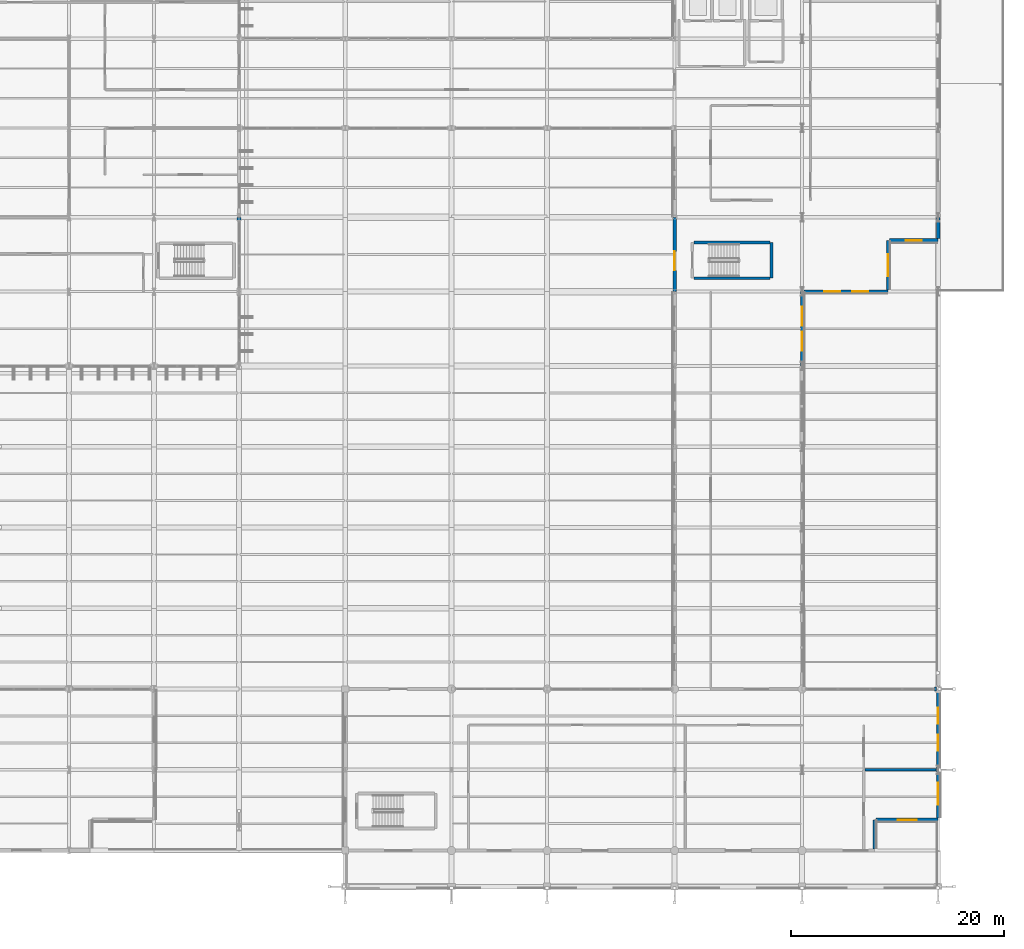
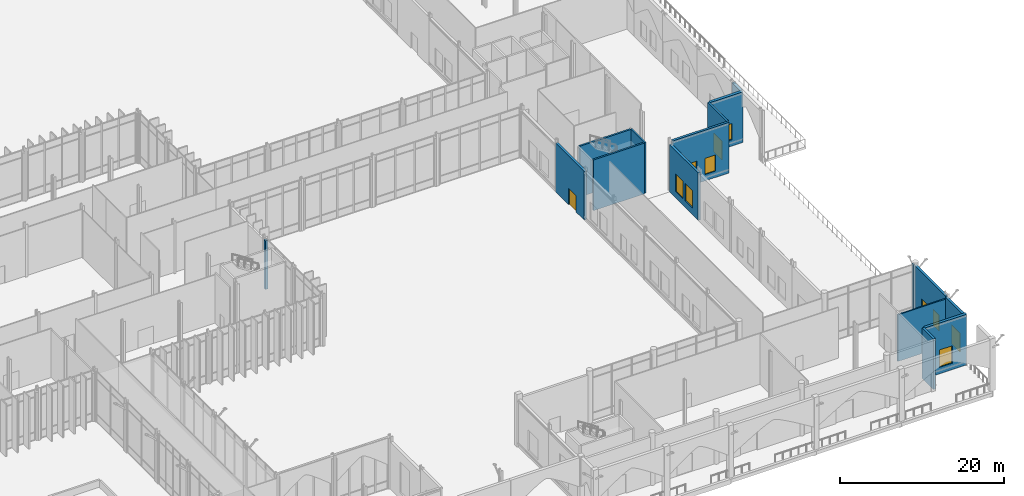
# One storey, part 144 of 176: 16 walls, 10 windows, 1 door, 11 openings.
"""IFC4 building model written with IfcOpenShell, lengths in metres."""

from ifc_helpers import new_model, si_unit, direction, frame, frame_2d, origin, place, context, subcontext, project, spatial, rectangle, extrude, material, layer, layer_set, type_object, element, fill, save


model = new_model("IFC4")

# Units and contexts
model_context = context("Model", 3, precision=1e-05, world=origin(), true_north=direction((0.0, 1.0)))
body_context = subcontext(model_context, "Body", "Model", "MODEL_VIEW")
ifc_project = project(units=[si_unit("LENGTHUNIT", "METRE"), si_unit("AREAUNIT", "SQUARE_METRE"), si_unit("VOLUMEUNIT", "CUBIC_METRE"), si_unit("PLANEANGLEUNIT", "RADIAN"), si_unit("MASSUNIT", "GRAM", prefix="KILO")], contexts=[model_context])

# Site, building, storey
site_placement = place(None, origin())
site = spatial("IfcSite", under=ifc_project, at=site_placement, CompositionType="ELEMENT")
building_placement = place(site_placement, origin())
building = spatial("IfcBuilding", under=site, at=building_placement, Name="Vekula Escarpment Museum", CompositionType="ELEMENT")
storey_placement = place(building_placement, origin())
storey = spatial("IfcBuildingStorey", under=building, at=storey_placement, Name="L01", CompositionType="ELEMENT", Elevation=0.0)

# Wall
ifc_material_1 = material(Name="Inkisi arkosic sandstone masonry", Category="masonry")
ifc_layer_1 = layer(ifc_material_1, 0.300048828125)
ifc_layer_set_1 = layer_set([ifc_layer_1], Name="Inkisi arkosic sandstone masonry")
wall_type_1 = type_object("IfcWallType", Name="WL-ALM-300", PredefinedType="SOLIDWALL", material=ifc_layer_set_1)
wall_1_placement = place(storey_placement, frame((185.800048828125, 2.887939453125, 0.0), z_axis=(0.0, 0.0, 1.0), x_axis=(0.0, -1.0, 0.0)))
element("IfcWall", 1, at=wall_1_placement, inside=storey, type_object=wall_type_1, Name="Exterior Wall WL-EXT-L01-0111", PredefinedType="SOLIDWALL", context=body_context, shape_type="SweptSolid", body=[
    extrude(rectangle(XDim=2.723876953125, YDim=0.300048828125, at=frame_2d((1.36181640625, 0.0))), origin(), (0.0, 0.0, 1.0), 7.5400390625),
])

# Wall, opening, window
wall_2_placement = place(storey_placement, frame((187.087890625, 57.39990234375, 0.0), z_axis=(0.0, 0.0, 1.0), x_axis=(0.0, -1.0, 0.0)))
wall_2 = element("IfcWall", 2, at=wall_2_placement, inside=storey, type_object=wall_type_1, Name="Exterior Wall WL-EXT-L01-0123", PredefinedType="SOLIDWALL", context=body_context, shape_type="SweptSolid", body=[
    extrude(rectangle(XDim=4.635986328125, YDim=0.300048828125, at=frame_2d((2.31787109375, 0.0))), origin(), (0.0, 0.0, 1.0), 7.5400390625),
])
opening_1_placement = place(wall_2_placement, frame((1.26806640625, 0.0, 0.949951171875)))
opening_1 = element("IfcOpeningElement", 3, at=opening_1_placement, cuts=wall_2, Name="Opening WN-08", PredefinedType="OPENING", context=body_context, shape_type="SweptSolid", body=[
    extrude(rectangle(XDim=2.10009765625, YDim=2.800048828125, at=frame_2d((1.050048828125, 1.39990234375))), frame((0.0, 0.159912109375, 0.0), z_axis=(0.0, -1.0, 0.0), x_axis=(1.0, 0.0, 0.0)), (0.0, 0.0, 1.0), 0.320068359375),
])
ifc_material_2 = material(Name="Double solar-control low-E glass", Category="glass")
window_type_1 = type_object("IfcWindowType", Name="WN-CUMBA-21x28", PartitioningType="DOUBLE_PANEL_VERTICAL", PredefinedType="WINDOW", material=ifc_material_2)
window_1_placement = place(opening_1_placement, origin())
window_1 = element("IfcWindow", 4, at=window_1_placement, inside=storey, type_object=window_type_1, Name="Window L01-0033", OverallHeight=2.800048828125, OverallWidth=2.10009765625, PartitioningType="SINGLE_PANEL", PredefinedType="WINDOW", context=body_context, shape_type="SweptSolid", body=[
    extrude(rectangle(XDim=2.10009765625, YDim=2.800048828125, at=frame_2d((1.050048828125, 1.39990234375))), frame((0.0, 0.030029296875, 0.0), z_axis=(0.0, -1.0, 0.0), x_axis=(1.0, 0.0, 0.0)), (0.0, 0.0, 1.0), 0.06005859375),
])
fill(opening_1, window_1)

# Wall, openings, windows
ifc_material_3 = material(Name="Inkisi arkosic sandstone masonry", Category="masonry")
ifc_layer_2 = layer(ifc_material_3, 0.320068359375)
ifc_layer_set_2 = layer_set([ifc_layer_2], Name="Inkisi arkosic sandstone masonry")
wall_type_2 = type_object("IfcWallType", Name="WL-ALM-320", PredefinedType="SOLIDWALL", material=ifc_layer_set_2)
wall_3_placement = place(storey_placement, frame((191.800048828125, 15.199951171875, 0.0), z_axis=(0.0, 0.0, 1.0), x_axis=(0.0, -1.0, 0.0)))
wall_3 = element("IfcWall", 5, at=wall_3_placement, inside=storey, type_object=wall_type_2, Name="Exterior Wall WL-EXT-L01-0114", PredefinedType="SOLIDWALL", context=body_context, shape_type="SweptSolid", body=[
    extrude(rectangle(XDim=7.599853515625, YDim=0.320068359375, at=frame_2d((3.7998046875, 0.0))), origin(), (0.0, 0.0, 1.0), 7.294921875),
])
opening_2_placement = place(wall_3_placement, frame((1.783203125, 0.0, 0.949951171875)))
opening_2 = element("IfcOpeningElement", 6, at=opening_2_placement, cuts=wall_3, Name="Opening WN-06", PredefinedType="OPENING", context=body_context, shape_type="SweptSolid", body=[
    extrude(rectangle(XDim=1.5, YDim=2.39990234375, at=frame_2d((0.75, 1.199951171875))), frame((0.0, 0.169921875, 0.0), z_axis=(0.0, -1.0, 0.0), x_axis=(1.0, 0.0, 0.0)), (0.0, 0.0, 1.0), 0.340087890625),
])
opening_3_placement = place(wall_3_placement, frame((4.316650390625, 0.0, 0.949951171875)))
opening_3 = element("IfcOpeningElement", 7, at=opening_3_placement, cuts=wall_3, Name="Opening WN-06", PredefinedType="OPENING", context=body_context, shape_type="SweptSolid", body=[
    extrude(rectangle(XDim=1.5, YDim=2.39990234375, at=frame_2d((0.75, 1.199951171875))), frame((0.0, 0.169921875, 0.0), z_axis=(0.0, -1.0, 0.0), x_axis=(1.0, 0.0, 0.0)), (0.0, 0.0, 1.0), 0.340087890625),
])
ifc_material_4 = material(Name="Double solar-control low-E glass", Category="glass")
window_type_2 = type_object("IfcWindowType", Name="WN-CUMBA-15x24", PartitioningType="SINGLE_PANEL", PredefinedType="WINDOW", material=ifc_material_4)
window_2_placement = place(opening_2_placement, origin())
window_2 = element("IfcWindow", 8, at=window_2_placement, inside=storey, type_object=window_type_2, Name="Window L01-0019", OverallHeight=2.39990234375, OverallWidth=1.5, PartitioningType="SINGLE_PANEL", PredefinedType="WINDOW", context=body_context, shape_type="SweptSolid", body=[
    extrude(rectangle(XDim=1.5, YDim=2.39990234375, at=frame_2d((0.75, 1.199951171875))), frame((0.0, 0.030029296875, 0.0), z_axis=(0.0, -1.0, 0.0), x_axis=(1.0, 0.0, 0.0)), (0.0, 0.0, 1.0), 0.06005859375),
])
fill(opening_2, window_2)
window_3_placement = place(opening_3_placement, origin())
window_3 = element("IfcWindow", 9, at=window_3_placement, inside=storey, type_object=window_type_2, Name="Window L01-0020", OverallHeight=2.39990234375, OverallWidth=1.5, PartitioningType="SINGLE_PANEL", PredefinedType="WINDOW", context=body_context, shape_type="SweptSolid", body=[
    extrude(rectangle(XDim=1.5, YDim=2.39990234375, at=frame_2d((0.75, 1.199951171875))), frame((0.0, 0.030029296875, 0.0), z_axis=(0.0, -1.0, 0.0), x_axis=(1.0, 0.0, 0.0)), (0.0, 0.0, 1.0), 0.06005859375),
])
fill(opening_3, window_3)

wall_4_placement = place(storey_placement, frame((187.087890625, 52.60009765625, 0.0), z_axis=(0.0, 0.0, 1.0), x_axis=(-1.0, 0.0, 0.0)))
wall_4 = element("IfcWall", 10, at=wall_4_placement, inside=storey, type_object=wall_type_2, Name="Exterior Wall WL-EXT-L01-0122", PredefinedType="SOLIDWALL", context=body_context, shape_type="SweptSolid", body=[
    extrude(rectangle(XDim=7.908935546875, YDim=0.320068359375, at=frame_2d((3.95458984375, 0.0))), origin(), (0.0, 0.0, 1.0), 7.5400390625),
])
opening_4_placement = place(wall_4_placement, frame((1.88623046875, 0.0, 0.949951171875)))
opening_4 = element("IfcOpeningElement", 11, at=opening_4_placement, cuts=wall_4, Name="Opening WN-06", PredefinedType="OPENING", context=body_context, shape_type="SweptSolid", body=[
    extrude(rectangle(XDim=1.5, YDim=2.39990234375, at=frame_2d((0.75, 1.199951171875))), frame((0.0, 0.169921875, 0.0), z_axis=(0.0, -1.0, 0.0), x_axis=(1.0, 0.0, 0.0)), (0.0, 0.0, 1.0), 0.340087890625),
])
opening_5_placement = place(wall_4_placement, frame((4.522705078125, 0.0, 0.949951171875)))
opening_5 = element("IfcOpeningElement", 12, at=opening_5_placement, cuts=wall_4, Name="Opening WN-06", PredefinedType="OPENING", context=body_context, shape_type="SweptSolid", body=[
    extrude(rectangle(XDim=1.5, YDim=2.39990234375, at=frame_2d((0.75, 1.199951171875))), frame((0.0, 0.169921875, 0.0), z_axis=(0.0, -1.0, 0.0), x_axis=(1.0, 0.0, 0.0)), (0.0, 0.0, 1.0), 0.340087890625),
])
window_4_placement = place(opening_4_placement, origin())
window_4 = element("IfcWindow", 13, at=window_4_placement, inside=storey, type_object=window_type_2, Name="Window L01-0031", OverallHeight=2.39990234375, OverallWidth=1.5, PartitioningType="SINGLE_PANEL", PredefinedType="WINDOW", context=body_context, shape_type="SweptSolid", body=[
    extrude(rectangle(XDim=1.5, YDim=2.39990234375, at=frame_2d((0.75, 1.199951171875))), frame((0.0, 0.030029296875, 0.0), z_axis=(0.0, -1.0, 0.0), x_axis=(1.0, 0.0, 0.0)), (0.0, 0.0, 1.0), 0.06005859375),
])
fill(opening_4, window_4)
window_5_placement = place(opening_5_placement, origin())
window_5 = element("IfcWindow", 14, at=window_5_placement, inside=storey, type_object=window_type_2, Name="Window L01-0032", OverallHeight=2.39990234375, OverallWidth=1.5, PartitioningType="SINGLE_PANEL", PredefinedType="WINDOW", context=body_context, shape_type="SweptSolid", body=[
    extrude(rectangle(XDim=1.5, YDim=2.39990234375, at=frame_2d((0.75, 1.199951171875))), frame((0.0, 0.030029296875, 0.0), z_axis=(0.0, -1.0, 0.0), x_axis=(1.0, 0.0, 0.0)), (0.0, 0.0, 1.0), 0.06005859375),
])
fill(opening_5, window_5)

# Wall
ifc_material_5 = material(Name="Inkisi arkosic sandstone masonry", Category="masonry")
ifc_layer_3 = layer(ifc_material_5, 0.35009765625)
ifc_layer_set_3 = layer_set([ifc_layer_3], Name="Inkisi arkosic sandstone masonry")
wall_type_3 = type_object("IfcWallType", Name="WL-ALM-350", PredefinedType="SOLIDWALL", material=ifc_layer_set_3)
wall_5_placement = place(storey_placement, frame((126.0, 59.239990234375, 0.0), z_axis=(0.0, 0.0, 1.0), x_axis=(0.0, 1.0, 0.0)))
element("IfcWall", 15, at=wall_5_placement, inside=storey, type_object=wall_type_3, Name="Facade Jamb Pier L01-0082B", PredefinedType="SOLIDWALL", context=body_context, shape_type="SweptSolid", body=[
    extrude(rectangle(XDim=0.360107421875, YDim=0.35009765625, at=frame_2d((0.18017578125, 0.0))), origin(), (0.0, 0.0, 1.0), 7.235107421875),
])

# Wall, opening, door
wall_6_placement = place(storey_placement, frame((167.0, 52.60009765625, 0.0), z_axis=(0.0, 0.0, 1.0), x_axis=(0.0, 1.0, 0.0)))
wall_6 = element("IfcWall", 16, at=wall_6_placement, inside=storey, type_object=wall_type_3, Name="Exterior Wall WL-EXT-L01-0093", PredefinedType="SOLIDWALL", context=body_context, shape_type="SweptSolid", body=[
    extrude(rectangle(XDim=7.0, YDim=0.35009765625, at=frame_2d((3.5, 0.0))), origin(), (0.0, 0.0, 1.0), 7.235107421875),
])
opening_6_placement = place(wall_6_placement, frame((2.0, 0.0, 0.0)))
opening_6 = element("IfcOpeningElement", 17, at=opening_6_placement, cuts=wall_6, Name="Opening D-EX25", PredefinedType="OPENING", context=body_context, shape_type="SweptSolid", body=[
    extrude(rectangle(XDim=1.800048828125, YDim=2.39990234375, at=frame_2d((0.89990234375, 1.199951171875))), frame((0.0, 0.18505859375, 0.0), z_axis=(0.0, -1.0, 0.0), x_axis=(1.0, 0.0, 0.0)), (0.0, 0.0, 1.0), 0.3701171875),
])
ifc_material_6 = material(Name="Powder-coated steel exit door", Category="steel")
door_type = type_object("IfcDoorType", Name="DR-EX-1800x2400", OperationType="NOTDEFINED", PredefinedType="DOOR", material=ifc_material_6)
door_placement = place(opening_6_placement, origin())
door = element("IfcDoor", 18, at=door_placement, inside=storey, type_object=door_type, Name="East Gallery ST-02 Protected Exit Door D-EX25", OperationType="SINGLE_SWING_LEFT", OverallHeight=2.39990234375, OverallWidth=1.800048828125, PredefinedType="DOOR", context=body_context, shape_type="SweptSolid", body=[
    extrude(rectangle(XDim=1.800048828125, YDim=2.39990234375, at=frame_2d((0.89990234375, 1.199951171875))), frame((0.0, 0.02490234375, 0.0), z_axis=(0.0, -1.0, 0.0), x_axis=(1.0, 0.0, 0.0)), (0.0, 0.0, 1.0), 0.050048828125),
])
fill(opening_6, door)

# Wall, opening, window
wall_7_placement = place(storey_placement, frame((191.800048828125, 7.60009765625, 0.0), z_axis=(0.0, 0.0, 1.0), x_axis=(0.0, -1.0, 0.0)))
wall_7 = element("IfcWall", 19, at=wall_7_placement, inside=storey, type_object=wall_type_3, Name="Exterior Wall WL-EXT-L01-0113", PredefinedType="SOLIDWALL", context=body_context, shape_type="SweptSolid", body=[
    extrude(rectangle(XDim=4.51806640625, YDim=0.35009765625, at=frame_2d((2.259033203125, 0.0))), origin(), (0.0, 0.0, 1.0), 7.14501953125),
])
opening_7_placement = place(wall_7_placement, frame((1.208984375, 0.0, 0.949951171875)))
opening_7 = element("IfcOpeningElement", 20, at=opening_7_placement, cuts=wall_7, Name="Opening WN-08", PredefinedType="OPENING", context=body_context, shape_type="SweptSolid", body=[
    extrude(rectangle(XDim=2.10009765625, YDim=2.800048828125, at=frame_2d((1.050048828125, 1.39990234375))), frame((0.0, 0.18505859375, 0.0), z_axis=(0.0, -1.0, 0.0), x_axis=(1.0, 0.0, 0.0)), (0.0, 0.0, 1.0), 0.3701171875),
])
window_6_placement = place(opening_7_placement, origin())
window_6 = element("IfcWindow", 21, at=window_6_placement, inside=storey, type_object=window_type_1, Name="Window L01-0018", OverallHeight=2.800048828125, OverallWidth=2.10009765625, PartitioningType="SINGLE_PANEL", PredefinedType="WINDOW", context=body_context, shape_type="SweptSolid", body=[
    extrude(rectangle(XDim=2.10009765625, YDim=2.800048828125, at=frame_2d((1.050048828125, 1.39990234375))), frame((0.0, 0.030029296875, 0.0), z_axis=(0.0, -1.0, 0.0), x_axis=(1.0, 0.0, 0.0)), (0.0, 0.0, 1.0), 0.06005859375),
])
fill(opening_7, window_6)

# Wall
wall_8_placement = place(storey_placement, frame((191.635986328125, 15.199951171875, 0.0), z_axis=(0.0, 0.0, 1.0), x_axis=(-1.0, 0.0, 0.0)))
element("IfcWall", 22, at=wall_8_placement, inside=storey, type_object=wall_type_3, Name="Facade Jamb Pier L01-0115A", PredefinedType="SOLIDWALL", context=body_context, shape_type="SweptSolid", body=[
    extrude(rectangle(XDim=0.196044921875, YDim=0.35009765625, at=frame_2d((0.09814453125, 0.0))), origin(), (0.0, 0.0, 1.0), 7.5400390625),
])

# Wall, openings, windows
wall_9_placement = place(storey_placement, frame((179.0, 52.60009765625, 0.0), z_axis=(0.0, 0.0, 1.0), x_axis=(0.0, -1.0, 0.0)))
wall_9 = element("IfcWall", 23, at=wall_9_placement, inside=storey, type_object=wall_type_3, Name="Exterior Wall WL-EXT-L01-0121", PredefinedType="SOLIDWALL", context=body_context, shape_type="SweptSolid", body=[
    extrude(rectangle(XDim=7.0, YDim=0.35009765625, at=frame_2d((3.5, 0.0))), origin(), (0.0, 0.0, 1.0), 7.02490234375),
])
opening_8_placement = place(wall_9_placement, frame((1.433349609375, 0.0, 0.949951171875)))
opening_8 = element("IfcOpeningElement", 24, at=opening_8_placement, cuts=wall_9, Name="Opening WN-07", PredefinedType="OPENING", context=body_context, shape_type="SweptSolid", body=[
    extrude(rectangle(XDim=1.800048828125, YDim=2.60009765625, at=frame_2d((0.89990234375, 1.300048828125))), frame((0.0, 0.18505859375, 0.0), z_axis=(0.0, -1.0, 0.0), x_axis=(1.0, 0.0, 0.0)), (0.0, 0.0, 1.0), 0.3701171875),
])
opening_9_placement = place(wall_9_placement, frame((3.7666015625, 0.0, 0.949951171875)))
opening_9 = element("IfcOpeningElement", 25, at=opening_9_placement, cuts=wall_9, Name="Opening WN-07", PredefinedType="OPENING", context=body_context, shape_type="SweptSolid", body=[
    extrude(rectangle(XDim=1.800048828125, YDim=2.60009765625, at=frame_2d((0.89990234375, 1.300048828125))), frame((0.0, 0.18505859375, 0.0), z_axis=(0.0, -1.0, 0.0), x_axis=(1.0, 0.0, 0.0)), (0.0, 0.0, 1.0), 0.3701171875),
])
ifc_material_7 = material(Name="Double solar-control low-E glass", Category="glass")
window_type_3 = type_object("IfcWindowType", Name="WN-CUMBA-18x26", PartitioningType="DOUBLE_PANEL_VERTICAL", PredefinedType="WINDOW", material=ifc_material_7)
window_7_placement = place(opening_8_placement, origin())
window_7 = element("IfcWindow", 26, at=window_7_placement, inside=storey, type_object=window_type_3, Name="Window L01-0029", OverallHeight=2.60009765625, OverallWidth=1.800048828125, PartitioningType="SINGLE_PANEL", PredefinedType="WINDOW", context=body_context, shape_type="SweptSolid", body=[
    extrude(rectangle(XDim=1.800048828125, YDim=2.60009765625, at=frame_2d((0.89990234375, 1.300048828125))), frame((0.0, 0.030029296875, 0.0), z_axis=(0.0, -1.0, 0.0), x_axis=(1.0, 0.0, 0.0)), (0.0, 0.0, 1.0), 0.06005859375),
])
fill(opening_8, window_7)
window_8_placement = place(opening_9_placement, origin())
window_8 = element("IfcWindow", 27, at=window_8_placement, inside=storey, type_object=window_type_3, Name="Window L01-0030", OverallHeight=2.60009765625, OverallWidth=1.800048828125, PartitioningType="SINGLE_PANEL", PredefinedType="WINDOW", context=body_context, shape_type="SweptSolid", body=[
    extrude(rectangle(XDim=1.800048828125, YDim=2.60009765625, at=frame_2d((0.89990234375, 1.300048828125))), frame((0.0, 0.030029296875, 0.0), z_axis=(0.0, -1.0, 0.0), x_axis=(1.0, 0.0, 0.0)), (0.0, 0.0, 1.0), 0.06005859375),
])
fill(opening_9, window_8)

# Wall
wall_10_placement = place(storey_placement, frame((191.800048828125, 59.60009765625, 0.0), z_axis=(0.0, 0.0, 1.0), x_axis=(0.0, -1.0, 0.0)))
element("IfcWall", 28, at=wall_10_placement, inside=storey, type_object=wall_type_3, Name="Exterior Wall WL-EXT-L01-0125", PredefinedType="SOLIDWALL", context=body_context, shape_type="SweptSolid", body=[
    extrude(rectangle(XDim=2.006103515625, YDim=0.35009765625, at=frame_2d((1.0029296875, 0.0))), origin(), (0.0, 0.0, 1.0), 7.5400390625),
])

# Wall, opening, window
ifc_material_8 = material(Name="Inkisi arkosic sandstone masonry", Category="masonry")
ifc_layer_4 = layer(ifc_material_8, 0.3798828125)
ifc_layer_set_4 = layer_set([ifc_layer_4], Name="Inkisi arkosic sandstone masonry")
wall_type_4 = type_object("IfcWallType", Name="WL-ALM-380", PredefinedType="SOLIDWALL", material=ifc_layer_set_4)
wall_11_placement = place(storey_placement, frame((191.800048828125, 2.887939453125, 0.0), z_axis=(0.0, 0.0, 1.0), x_axis=(-1.0, 0.0, 0.0)))
wall_11 = element("IfcWall", 29, at=wall_11_placement, inside=storey, type_object=wall_type_4, Name="Exterior Wall WL-EXT-L01-0112", PredefinedType="SOLIDWALL", context=body_context, shape_type="SweptSolid", body=[
    extrude(rectangle(XDim=5.845947265625, YDim=0.3798828125, at=frame_2d((2.9228515625, 0.0))), origin(), (0.0, 0.0, 1.0), 7.5400390625),
])
opening_10_placement = place(wall_11_placement, frame((2.02294921875, 0.0, 0.949951171875)))
opening_10 = element("IfcOpeningElement", 30, at=opening_10_placement, cuts=wall_11, Name="Opening WN-07", PredefinedType="OPENING", context=body_context, shape_type="SweptSolid", body=[
    extrude(rectangle(XDim=1.800048828125, YDim=2.60009765625, at=frame_2d((0.89990234375, 1.300048828125))), frame((0.0, 0.199951171875, 0.0), z_axis=(0.0, -1.0, 0.0), x_axis=(1.0, 0.0, 0.0)), (0.0, 0.0, 1.0), 0.39990234375),
])
window_9_placement = place(opening_10_placement, origin())
window_9 = element("IfcWindow", 31, at=window_9_placement, inside=storey, type_object=window_type_3, Name="Window L01-0017", OverallHeight=2.60009765625, OverallWidth=1.800048828125, PartitioningType="SINGLE_PANEL", PredefinedType="WINDOW", context=body_context, shape_type="SweptSolid", body=[
    extrude(rectangle(XDim=1.800048828125, YDim=2.60009765625, at=frame_2d((0.89990234375, 1.300048828125))), frame((0.0, 0.030029296875, 0.0), z_axis=(0.0, -1.0, 0.0), x_axis=(1.0, 0.0, 0.0)), (0.0, 0.0, 1.0), 0.06005859375),
])
fill(opening_10, window_9)

wall_12_placement = place(storey_placement, frame((191.800048828125, 57.39990234375, 0.0), z_axis=(0.0, 0.0, 1.0), x_axis=(-1.0, 0.0, 0.0)))
wall_12 = element("IfcWall", 32, at=wall_12_placement, inside=storey, type_object=wall_type_4, Name="Exterior Wall WL-EXT-L01-0124", PredefinedType="SOLIDWALL", context=body_context, shape_type="SweptSolid", body=[
    extrude(rectangle(XDim=4.55810546875, YDim=0.3798828125, at=frame_2d((2.279052734375, 0.0))), origin(), (0.0, 0.0, 1.0), 7.5400390625),
])
opening_11_placement = place(wall_12_placement, frame((1.529052734375, 0.0, 0.949951171875)))
opening_11 = element("IfcOpeningElement", 33, at=opening_11_placement, cuts=wall_12, Name="Opening WN-06", PredefinedType="OPENING", context=body_context, shape_type="SweptSolid", body=[
    extrude(rectangle(XDim=1.5, YDim=2.39990234375, at=frame_2d((0.75, 1.199951171875))), frame((0.0, 0.199951171875, 0.0), z_axis=(0.0, -1.0, 0.0), x_axis=(1.0, 0.0, 0.0)), (0.0, 0.0, 1.0), 0.39990234375),
])
window_10_placement = place(opening_11_placement, origin())
window_10 = element("IfcWindow", 34, at=window_10_placement, inside=storey, type_object=window_type_2, Name="Window L01-0034", OverallHeight=2.39990234375, OverallWidth=1.5, PartitioningType="SINGLE_PANEL", PredefinedType="WINDOW", context=body_context, shape_type="SweptSolid", body=[
    extrude(rectangle(XDim=1.5, YDim=2.39990234375, at=frame_2d((0.75, 1.199951171875))), frame((0.0, 0.030029296875, 0.0), z_axis=(0.0, -1.0, 0.0), x_axis=(1.0, 0.0, 0.0)), (0.0, 0.0, 1.0), 0.06005859375),
])
fill(opening_11, window_10)

# Walls
ifc_material_9 = material(Name="Concrete C35/45", Category="concrete")
ifc_layer_5 = layer(ifc_material_9, 0.25)
ifc_layer_set_5 = layer_set([ifc_layer_5], Name="Concrete C35/45")
wall_type_5 = type_object("IfcWallType", Name="WL-CORE-250", PredefinedType="SHEAR", material=ifc_layer_set_5)
wall_13_placement = place(storey_placement, frame((176.125, 53.875, 0.0), z_axis=(0.0, 0.0, 1.0), x_axis=(0.0, 1.0, 0.0)))
element("IfcWall", 35, at=wall_13_placement, inside=storey, type_object=wall_type_5, Name="Stair Core Wall ST-02 L01 E", PredefinedType="SHEAR", context=body_context, shape_type="SweptSolid", body=[
    extrude(rectangle(XDim=3.35009765625, YDim=0.25, at=frame_2d((1.675048828125, 0.0))), origin(), (0.0, 0.0, 1.0), 7.5400390625),
])
for number, where, z_axis, x_axis, name in (
    (36, (168.803955078125, 53.875, 0.0), (0.0, 0.0, 1.0), (1.0, 0.0, 0.0), "Stair Core Wall ST-02 L01 S"),
    (37, (168.803955078125, 57.22509765625, 0.0), (0.0, 0.0, 1.0), (1.0, 0.0, 0.0), "Stair Core Wall ST-02 L01 N"),
):
    element("IfcWall", number, at=place(storey_placement, frame(where, z_axis=z_axis, x_axis=x_axis)), inside=storey, type_object=wall_type_5, Name=name, PredefinedType="SHEAR", context=body_context, shape_type="SweptSolid", body=[
        extrude(rectangle(XDim=7.192138671875, YDim=0.25, at=frame_2d((3.59619140625, 0.0))), origin(), (0.0, 0.0, 1.0), 7.5400390625),
    ])
ifc_material_10 = material(Name="Concrete C35/45", Category="concrete")
ifc_layer_6 = layer(ifc_material_10, 0.199951171875)
ifc_layer_set_6 = layer_set([ifc_layer_6], Name="Concrete C35/45")
wall_type_6 = type_object("IfcWallType", Name="WL-FFL-200", PredefinedType="PARTITIONING", material=ifc_layer_set_6)
wall_14_placement = place(storey_placement, frame((184.904052734375, 7.60009765625, 0.0), z_axis=(0.0, 0.0, 1.0), x_axis=(1.0, 0.0, 0.0)))
element("IfcWall", 38, at=wall_14_placement, inside=storey, type_object=wall_type_6, Name="Interior Partition WL-INT-L01-0092", PredefinedType="PARTITIONING", context=body_context, shape_type="SweptSolid", body=[
    extrude(rectangle(XDim=6.717041015625, YDim=0.199951171875, at=frame_2d((3.3583984375, 0.0))), origin(), (0.0, 0.0, 1.0), 6.925048828125),
])

save(model, "model.ifc")
